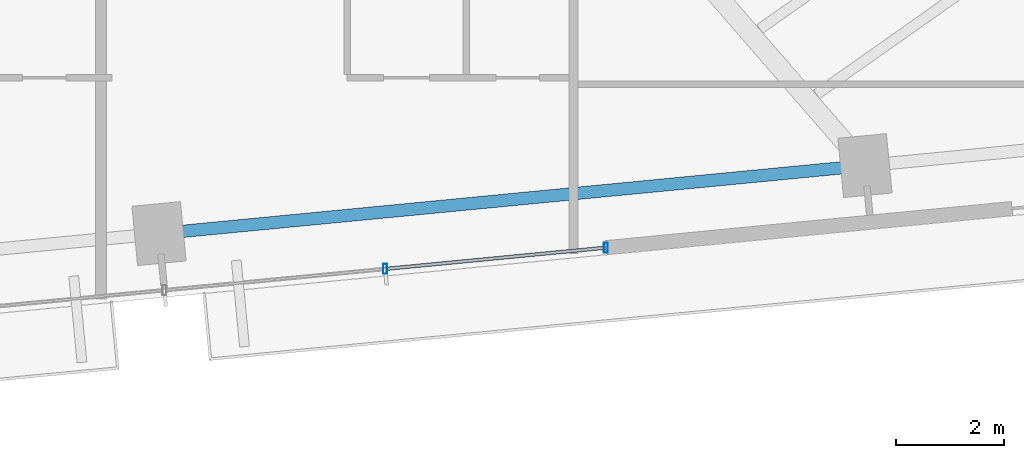
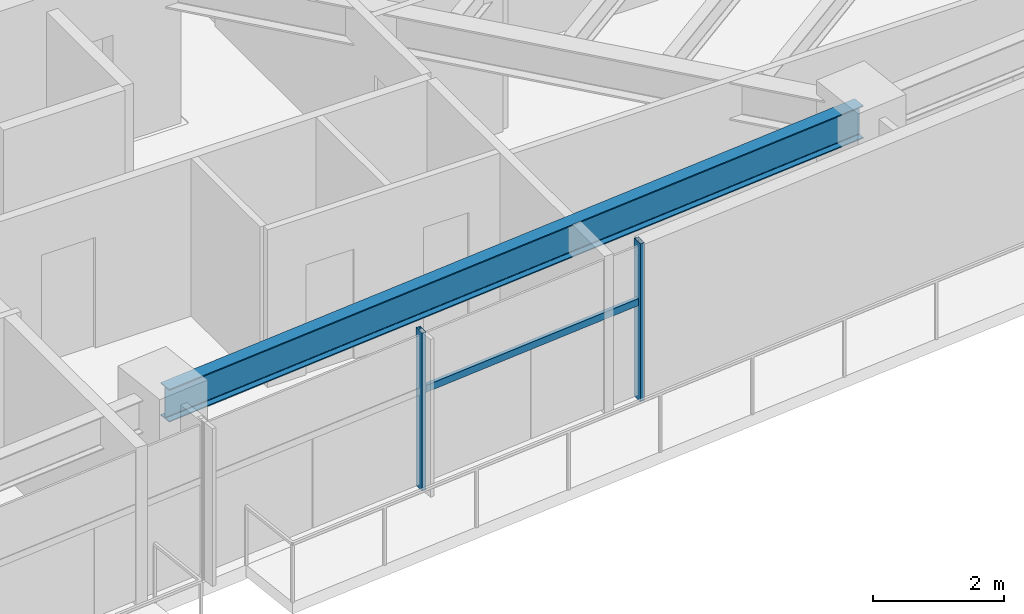
# One storey, part 12 of 27: 3 members, 1 beam, 1 element without a shape of its own.
"""IFC4 building model written with IfcOpenShell, lengths in metres."""

from ifc_helpers import new_model, si_unit, direction, frame, origin, origin_2d, place, context, subcontext, project, spatial, hollow_rectangle, i_section, extrude, source, transform, mapped, material, material_profile, profile_set, type_object, type_shapes, element, aggregate, save


model = new_model("IFC4")

# Units and contexts
model_context = context("Model", 3, precision=1e-05, world=origin(), true_north=direction((0.0, 1.0)))
body_context = subcontext(model_context, "Body", "Model", "MODEL_VIEW")
ifc_project = project(units=[si_unit("LENGTHUNIT", "METRE"), si_unit("AREAUNIT", "SQUARE_METRE"), si_unit("VOLUMEUNIT", "CUBIC_METRE"), si_unit("PLANEANGLEUNIT", "RADIAN"), si_unit("MASSUNIT", "GRAM", prefix="KILO")], contexts=[model_context])

# Site, building, storey
site_placement = place(None, origin())
site = spatial("IfcSite", under=ifc_project, at=site_placement, CompositionType="ELEMENT")
building_placement = place(site_placement, origin())
building = spatial("IfcBuilding", under=site, at=building_placement, Name="Astriad Promenade Condominiums", CompositionType="ELEMENT")
storey_placement = place(building_placement, frame((0.0, 0.0, 109.800048828125)))
storey = spatial("IfcBuildingStorey", under=building, at=storey_placement, Name="L31", CompositionType="ELEMENT", Elevation=109.800048828125)

# Beam
ifc_material_1 = material(Name="Steel ASTM A992 Grade 50", Category="steel")
ifc_material_profile_1 = material_profile(ifc_material_1, i_section(OverallWidth=0.22900390625, OverallDepth=0.612060546875, WebThickness=0.011962890625, FlangeThickness=0.01953125, FilletRadius=0.017822265625, at=origin_2d()), Name="W24X84")
ifc_profile_set_1 = profile_set([ifc_material_profile_1], Name="Steel ASTM A992 Grade 50")
beam_type = type_object("IfcBeamType", Name="STEEL SPANDREL BEAM W24X84", PredefinedType="SPANDREL", material=ifc_profile_set_1)
shared_shape_1 = source(origin(), body_context, "Body", "SweptSolid", [
    extrude(i_section(OverallWidth=0.22900390625, OverallDepth=0.612060546875, WebThickness=0.011962890625, FlangeThickness=0.01953125, FilletRadius=0.017822265625, at=origin_2d()), origin(), (0.0, 0.0, 1.0), 13.02001953125),
])
type_shapes(beam_type, [shared_shape_1])
beam_placement = place(storey_placement, frame((40.085205078125, 7.5244140625, 2.6337890625), z_axis=(0.995395138946, 0.095856754395, 0.0), x_axis=(-0.095856754395, 0.995395138946, 0.0)))
element("IfcBeam", 1, at=beam_placement, inside=storey, type_object=beam_type, Name="Perimeter Spandrel Beam SP-S3-L31", PredefinedType="SPANDREL", context=body_context, shape_type="MappedRepresentation", body=[
    mapped(shared_shape_1, transform((0.0, 0.0, 0.0), scale=1.0)),
])

# Curtain wall, members
ifc_material_2 = material(Name="Anodised aluminium Black Dark Glass Unitised", Category="aluminium")
curtain_wall_type = type_object("IfcCurtainWallType", Name="CW-B2-DARK", PredefinedType="USERDEFINED", material=ifc_material_2)
curtain_wall_placement = place(storey_placement, origin())
curtain_wall = element("IfcCurtainWall", 2, at=curtain_wall_placement, inside=storey, type_object=curtain_wall_type, Name="CW-L31-S", ObjectType="UNITISED_CURTAIN_WALL", PredefinedType="USERDEFINED")
ifc_material_3 = material(Name="Anodised aluminium 6063-T6 Black", Category="aluminium")
ifc_material_profile_2 = material_profile(ifc_material_3, hollow_rectangle(XDim=0.074951171875, YDim=0.18505859375, WallThickness=0.00439453125, at=origin_2d()), Name="ALU-MUL-75X185")
ifc_profile_set_2 = profile_set([ifc_material_profile_2], Name="Anodised aluminium 6063-T6 Black")
member_type_1 = type_object("IfcMemberType", Name="MUL-ALU-MUL-75X185", PredefinedType="MULLION", material=ifc_profile_set_2)
shared_shape_2 = source(origin(), body_context, "Body", "SweptSolid", [
    extrude(hollow_rectangle(XDim=0.074951171875, YDim=0.18505859375, WallThickness=0.00439453125, at=origin_2d()), origin(), (0.0, 0.0, 1.0), 2.93994140625),
])
type_shapes(member_type_1, [shared_shape_2])
member_1_placement = place(storey_placement, frame((48.29833984375, 7.260498046875, 0.0), z_axis=(0.0, 0.0, 1.0), x_axis=(1.0, 0.0, 0.0)))
member_1 = element("IfcMember", 3, at=member_1_placement, type_object=member_type_1, Name="CW-L31-S-MUL-00", PredefinedType="MULLION", context=body_context, shape_type="MappedRepresentation", body=[
    mapped(shared_shape_2, transform((0.0, 0.0, 0.0), scale=1.0)),
])
member_2_placement = place(storey_placement, frame((44.22216796875, 6.867919921875, 0.0), z_axis=(0.0, 0.0, 1.0), x_axis=(1.0, 0.0, 0.0)))
member_2 = element("IfcMember", 4, at=member_2_placement, type_object=member_type_1, Name="CW-L31-S-MUL-01", PredefinedType="MULLION", context=body_context, shape_type="MappedRepresentation", body=[
    mapped(shared_shape_2, transform((0.0, 0.0, 0.0), scale=1.0)),
])
ifc_material_profile_3 = material_profile(ifc_material_3, hollow_rectangle(XDim=0.06494140625, YDim=0.1298828125, WallThickness=0.00390625, at=origin_2d()), Name="ALU-TRN-65X130")
ifc_profile_set_3 = profile_set([ifc_material_profile_3], Name="Anodised aluminium 6063-T6 Black")
member_type_2 = type_object("IfcMemberType", Name="TRN-ALU-TRN-65X130", PredefinedType="USERDEFINED", material=ifc_profile_set_3)
shared_shape_3 = source(origin(), body_context, "Body", "SweptSolid", [
    extrude(hollow_rectangle(XDim=0.06494140625, YDim=0.1298828125, WallThickness=0.00390625, at=origin_2d()), origin(), (0.0, 0.0, 1.0), 4.094970703125),
])
type_shapes(member_type_2, [shared_shape_3])
member_3_placement = place(storey_placement, frame((48.29833984375, 7.260498046875, 1.82275390625), z_axis=(-0.995394161585, -0.09586690296, 0.0), x_axis=(0.09586690296, -0.995394161585, 0.0)))
member_3 = element("IfcMember", 5, at=member_3_placement, type_object=member_type_2, Name="CW-L31-S-TRN-00-0", ObjectType="TRANSOM", PredefinedType="USERDEFINED", context=body_context, shape_type="MappedRepresentation", body=[
    mapped(shared_shape_3, transform((0.0, 0.0, 0.0), scale=1.0)),
])
aggregate(curtain_wall, [member_1, member_2, member_3])

save(model, "model.ifc")
